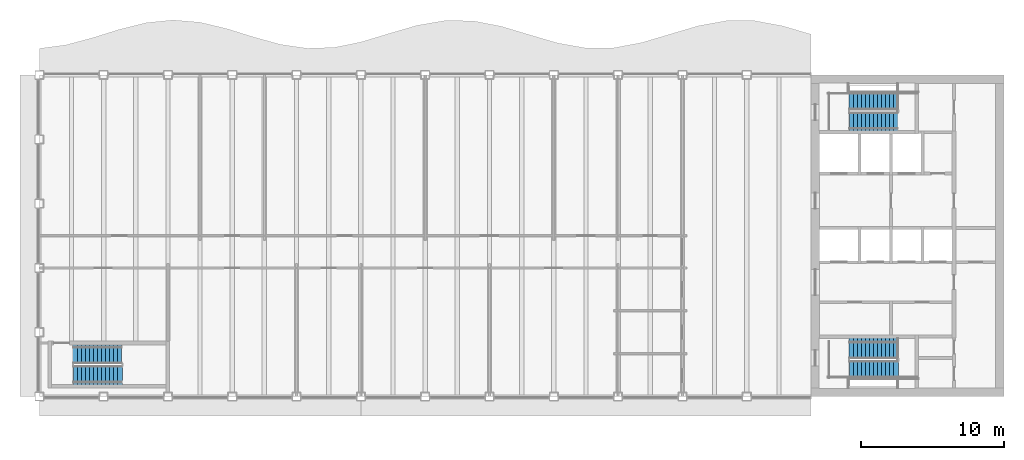
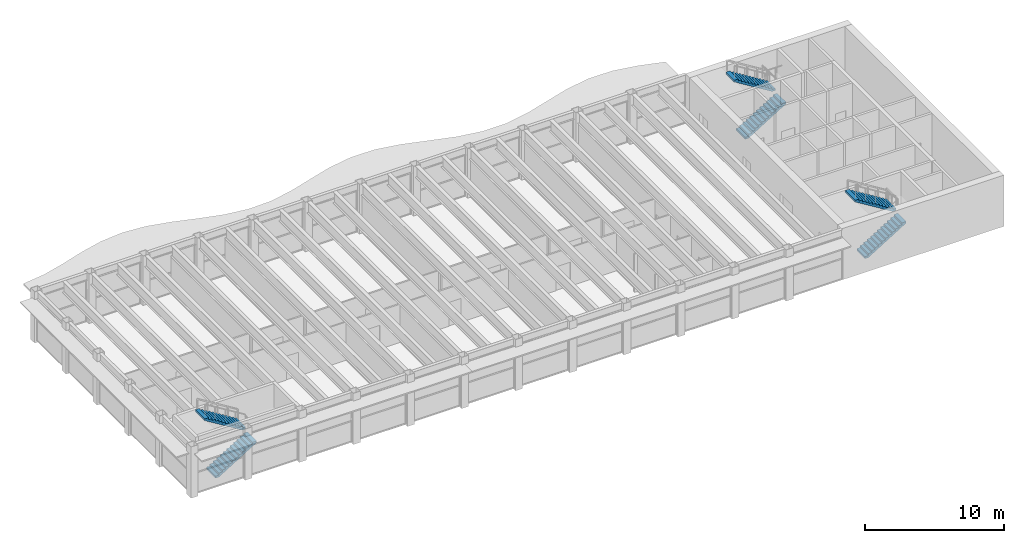
# One storey, part 11 of 14: 6 stair flights, 3 elements without a shape of their own.
"""IFC4 building model written with IfcOpenShell, lengths in metres."""

from ifc_helpers import new_model, si_unit, direction, frame, origin, place, context, subcontext, project, spatial, polyline, outline, extrude, material, type_object, element, aggregate, save


model = new_model("IFC4")

# Units and contexts
model_context = context("Model", 3, precision=1e-05, world=origin(), true_north=direction((0.0, 1.0)))
body_context = subcontext(model_context, "Body", "Model", "MODEL_VIEW")
ifc_project = project(units=[si_unit("LENGTHUNIT", "METRE"), si_unit("AREAUNIT", "SQUARE_METRE"), si_unit("VOLUMEUNIT", "CUBIC_METRE"), si_unit("PLANEANGLEUNIT", "RADIAN"), si_unit("MASSUNIT", "GRAM", prefix="KILO")], contexts=[model_context])

# Site, building, storey
site_placement = place(None, origin())
site = spatial("IfcSite", under=ifc_project, at=site_placement, CompositionType="ELEMENT")
building_placement = place(site_placement, origin())
building = spatial("IfcBuilding", under=site, at=building_placement, Name="Sennacour Bend Tower", CompositionType="ELEMENT")
storey_placement = place(building_placement, frame((0.0, 0.0, 305.0)))
storey = spatial("IfcBuildingStorey", under=building, at=storey_placement, Name="L70", CompositionType="ELEMENT", Elevation=305.0)

# Stair, stair flights
ifc_material = material(Name="Concrete C40/50", Category="concrete")
stair_type = type_object("IfcStairType", Name="ST-DOGLEG", PredefinedType="HALF_TURN_STAIR", material=ifc_material)
stair_1_placement = place(storey_placement, origin())
stair_1 = element("IfcStair", 1, at=stair_1_placement, inside=storey, type_object=stair_type, Name="L70 Exit stair A1", PredefinedType="HALF_TURN_STAIR")
stair_flight_type = type_object("IfcStairFlightType", Name="SFL-RC", PredefinedType="STRAIGHT", material=ifc_material)
stair_flight_1_placement = place(storey_placement, frame((56.699951171875, 1.89990234375, 0.0), z_axis=(0.0, 0.0, 1.0), x_axis=(1.0, 0.0, 0.0)))
stair_flight_1 = element("IfcStairFlight", 2, at=stair_flight_1_placement, type_object=stair_flight_type, Name="SA1 flight 1", NumberOfRisers=13, NumberOfTreads=12, PredefinedType="STRAIGHT", RiserHeight=0.173076923, TreadLength=0.28, context=body_context, shape_type="SweptSolid", body=[
    extrude(outline(polyline([(0.0, 0.0), (0.0, 0.173095703125), (0.280029296875, 0.173095703125), (0.280029296875, 0.34619140625), (0.56005859375, 0.34619140625), (0.56005859375, 0.519287109375), (0.840087890625, 0.519287109375), (0.840087890625, 0.6923828125), (1.1201171875, 0.6923828125), (1.1201171875, 0.865478515625), (1.39990234375, 0.865478515625), (1.39990234375, 1.03857421875), (1.679931640625, 1.03857421875), (1.679931640625, 1.21142578125), (1.9599609375, 1.21142578125), (1.9599609375, 1.384521484375), (2.239990234375, 1.384521484375), (2.239990234375, 1.5576171875), (2.52001953125, 1.5576171875), (2.52001953125, 1.730712890625), (2.800048828125, 1.730712890625), (2.800048828125, 1.90380859375), (3.080078125, 1.90380859375), (3.080078125, 2.076904296875), (3.360107421875, 2.076904296875), (3.419921875, 2.076904296875), (3.419921875, 1.900634765625), (3.360107421875, 1.900634765625), (0.28515625, 0.0), (0.0, 0.0)])), frame((0.0, 0.60009765625, 0.0), z_axis=(0.0, -1.0, 0.0), x_axis=(1.0, 0.0, 0.0)), (0.0, 0.0, 1.0), 1.199951171875),
])
stair_flight_2_placement = place(storey_placement, frame((60.06005859375, 3.37744140625, 2.25), z_axis=(0.0, 0.0, 1.0), x_axis=(-1.0, 0.0, 0.0)))
stair_flight_2 = element("IfcStairFlight", 3, at=stair_flight_2_placement, type_object=stair_flight_type, Name="SA1 flight 2", NumberOfRisers=13, NumberOfTreads=12, PredefinedType="STRAIGHT", RiserHeight=0.173076923, TreadLength=0.28, context=body_context, shape_type="SweptSolid", body=[
    extrude(outline(polyline([(0.0, 0.0), (0.0, 0.173095703125), (0.280029296875, 0.173095703125), (0.280029296875, 0.34619140625), (0.56005859375, 0.34619140625), (0.56005859375, 0.519287109375), (0.840087890625, 0.519287109375), (0.840087890625, 0.6923828125), (1.1201171875, 0.6923828125), (1.1201171875, 0.865478515625), (1.39990234375, 0.865478515625), (1.39990234375, 1.03857421875), (1.679931640625, 1.03857421875), (1.679931640625, 1.21142578125), (1.9599609375, 1.21142578125), (1.9599609375, 1.384521484375), (2.239990234375, 1.384521484375), (2.239990234375, 1.5576171875), (2.52001953125, 1.5576171875), (2.52001953125, 1.730712890625), (2.800048828125, 1.730712890625), (2.800048828125, 1.90380859375), (3.080078125, 1.90380859375), (3.080078125, 2.076904296875), (3.360107421875, 2.076904296875), (3.419921875, 2.076904296875), (3.419921875, 1.900634765625), (3.360107421875, 1.900634765625), (0.28515625, 0.0), (0.0, 0.0)])), frame((0.0, 0.7275390625, 0.0), z_axis=(0.0, -1.0, 0.0), x_axis=(1.0, 0.0, 0.0)), (0.0, 0.0, 1.0), 1.455078125),
])
aggregate(stair_1, [stair_flight_1, stair_flight_2])

stair_2_placement = place(storey_placement, origin())
stair_2 = element("IfcStair", 4, at=stair_2_placement, inside=storey, type_object=stair_type, Name="L70 Exit stair A2", PredefinedType="HALF_TURN_STAIR")
stair_flight_3_placement = place(storey_placement, frame((56.699951171875, 19.24755859375, 0.0), z_axis=(0.0, 0.0, 1.0), x_axis=(1.0, 0.0, 0.0)))
stair_flight_3 = element("IfcStairFlight", 5, at=stair_flight_3_placement, type_object=stair_flight_type, Name="SA2 flight 1", NumberOfRisers=13, NumberOfTreads=12, PredefinedType="STRAIGHT", RiserHeight=0.173076923, TreadLength=0.28, context=body_context, shape_type="SweptSolid", body=[
    extrude(outline(polyline([(0.0, 0.0), (0.0, 0.173095703125), (0.280029296875, 0.173095703125), (0.280029296875, 0.34619140625), (0.56005859375, 0.34619140625), (0.56005859375, 0.519287109375), (0.840087890625, 0.519287109375), (0.840087890625, 0.6923828125), (1.1201171875, 0.6923828125), (1.1201171875, 0.865478515625), (1.39990234375, 0.865478515625), (1.39990234375, 1.03857421875), (1.679931640625, 1.03857421875), (1.679931640625, 1.21142578125), (1.9599609375, 1.21142578125), (1.9599609375, 1.384521484375), (2.239990234375, 1.384521484375), (2.239990234375, 1.5576171875), (2.52001953125, 1.5576171875), (2.52001953125, 1.730712890625), (2.800048828125, 1.730712890625), (2.800048828125, 1.90380859375), (3.080078125, 1.90380859375), (3.080078125, 2.076904296875), (3.360107421875, 2.076904296875), (3.419921875, 2.076904296875), (3.419921875, 1.900634765625), (3.360107421875, 1.900634765625), (0.28515625, 0.0), (0.0, 0.0)])), frame((0.0, 0.65234375, 0.0), z_axis=(0.0, -1.0, 0.0), x_axis=(1.0, 0.0, 0.0)), (0.0, 0.0, 1.0), 1.304931640625),
])
stair_flight_4_placement = place(storey_placement, frame((60.06005859375, 20.64990234375, 2.25), z_axis=(0.0, 0.0, 1.0), x_axis=(-1.0, 0.0, 0.0)))
stair_flight_4 = element("IfcStairFlight", 6, at=stair_flight_4_placement, type_object=stair_flight_type, Name="SA2 flight 2", NumberOfRisers=13, NumberOfTreads=12, PredefinedType="STRAIGHT", RiserHeight=0.173076923, TreadLength=0.28, context=body_context, shape_type="SweptSolid", body=[
    extrude(outline(polyline([(0.0, 0.0), (0.0, 0.173095703125), (0.280029296875, 0.173095703125), (0.280029296875, 0.34619140625), (0.56005859375, 0.34619140625), (0.56005859375, 0.519287109375), (0.840087890625, 0.519287109375), (0.840087890625, 0.6923828125), (1.1201171875, 0.6923828125), (1.1201171875, 0.865478515625), (1.39990234375, 0.865478515625), (1.39990234375, 1.03857421875), (1.679931640625, 1.03857421875), (1.679931640625, 1.21142578125), (1.9599609375, 1.21142578125), (1.9599609375, 1.384521484375), (2.239990234375, 1.384521484375), (2.239990234375, 1.5576171875), (2.52001953125, 1.5576171875), (2.52001953125, 1.730712890625), (2.800048828125, 1.730712890625), (2.800048828125, 1.90380859375), (3.080078125, 1.90380859375), (3.080078125, 2.076904296875), (3.360107421875, 2.076904296875), (3.419921875, 2.076904296875), (3.419921875, 1.900634765625), (3.360107421875, 1.900634765625), (0.28515625, 0.0), (0.0, 0.0)])), frame((0.0, 0.60009765625, 0.0), z_axis=(0.0, -1.0, 0.0), x_axis=(1.0, 0.0, 0.0)), (0.0, 0.0, 1.0), 1.199951171875),
])
aggregate(stair_2, [stair_flight_3, stair_flight_4])

stair_3_placement = place(storey_placement, origin())
stair_3 = element("IfcStair", 7, at=stair_3_placement, inside=storey, type_object=stair_type, Name="L70 Exit stair K1", PredefinedType="HALF_TURN_STAIR")
stair_flight_5_placement = place(storey_placement, frame((2.39990234375, 1.485107421875, 0.0), z_axis=(0.0, 0.0, 1.0), x_axis=(1.0, 0.0, 0.0)))
stair_flight_5 = element("IfcStairFlight", 8, at=stair_flight_5_placement, type_object=stair_flight_type, Name="SK1 flight 1", NumberOfRisers=13, NumberOfTreads=12, PredefinedType="STRAIGHT", RiserHeight=0.173076923, TreadLength=0.28, context=body_context, shape_type="SweptSolid", body=[
    extrude(outline(polyline([(0.0, 0.0), (0.0, 0.173095703125), (0.280029296875, 0.173095703125), (0.280029296875, 0.34619140625), (0.56005859375, 0.34619140625), (0.56005859375, 0.519287109375), (0.840087890625, 0.519287109375), (0.840087890625, 0.6923828125), (1.1201171875, 0.6923828125), (1.1201171875, 0.865478515625), (1.39990234375, 0.865478515625), (1.39990234375, 1.03857421875), (1.679931640625, 1.03857421875), (1.679931640625, 1.21142578125), (1.9599609375, 1.21142578125), (1.9599609375, 1.384521484375), (2.239990234375, 1.384521484375), (2.239990234375, 1.5576171875), (2.52001953125, 1.5576171875), (2.52001953125, 1.730712890625), (2.800048828125, 1.730712890625), (2.800048828125, 1.90380859375), (3.080078125, 1.90380859375), (3.080078125, 2.076904296875), (3.360107421875, 2.076904296875), (3.419921875, 2.076904296875), (3.419921875, 1.900634765625), (3.360107421875, 1.900634765625), (0.28515625, 0.0), (0.0, 0.0)])), frame((0.0, 0.6650390625, 0.0), z_axis=(0.0, -1.0, 0.0), x_axis=(1.0, 0.0, 0.0)), (0.0, 0.0, 1.0), 1.330078125),
])
stair_flight_6_placement = place(storey_placement, frame((5.760009765625, 2.9775390625, 2.25), z_axis=(0.0, 0.0, 1.0), x_axis=(-1.0, 0.0, 0.0)))
stair_flight_6 = element("IfcStairFlight", 9, at=stair_flight_6_placement, type_object=stair_flight_type, Name="SK1 flight 2", NumberOfRisers=13, NumberOfTreads=12, PredefinedType="STRAIGHT", RiserHeight=0.173076923, TreadLength=0.28, context=body_context, shape_type="SweptSolid", body=[
    extrude(outline(polyline([(0.0, 0.0), (0.0, 0.173095703125), (0.280029296875, 0.173095703125), (0.280029296875, 0.34619140625), (0.56005859375, 0.34619140625), (0.56005859375, 0.519287109375), (0.840087890625, 0.519287109375), (0.840087890625, 0.6923828125), (1.1201171875, 0.6923828125), (1.1201171875, 0.865478515625), (1.39990234375, 0.865478515625), (1.39990234375, 1.03857421875), (1.679931640625, 1.03857421875), (1.679931640625, 1.21142578125), (1.9599609375, 1.21142578125), (1.9599609375, 1.384521484375), (2.239990234375, 1.384521484375), (2.239990234375, 1.5576171875), (2.52001953125, 1.5576171875), (2.52001953125, 1.730712890625), (2.800048828125, 1.730712890625), (2.800048828125, 1.90380859375), (3.080078125, 1.90380859375), (3.080078125, 2.076904296875), (3.360107421875, 2.076904296875), (3.419921875, 2.076904296875), (3.419921875, 1.900634765625), (3.360107421875, 1.900634765625), (0.28515625, 0.0), (0.0, 0.0)])), frame((0.0, 0.677490234375, 0.0), z_axis=(0.0, -1.0, 0.0), x_axis=(1.0, 0.0, 0.0)), (0.0, 0.0, 1.0), 1.35498046875),
])
aggregate(stair_3, [stair_flight_5, stair_flight_6])

save(model, "model.ifc")
